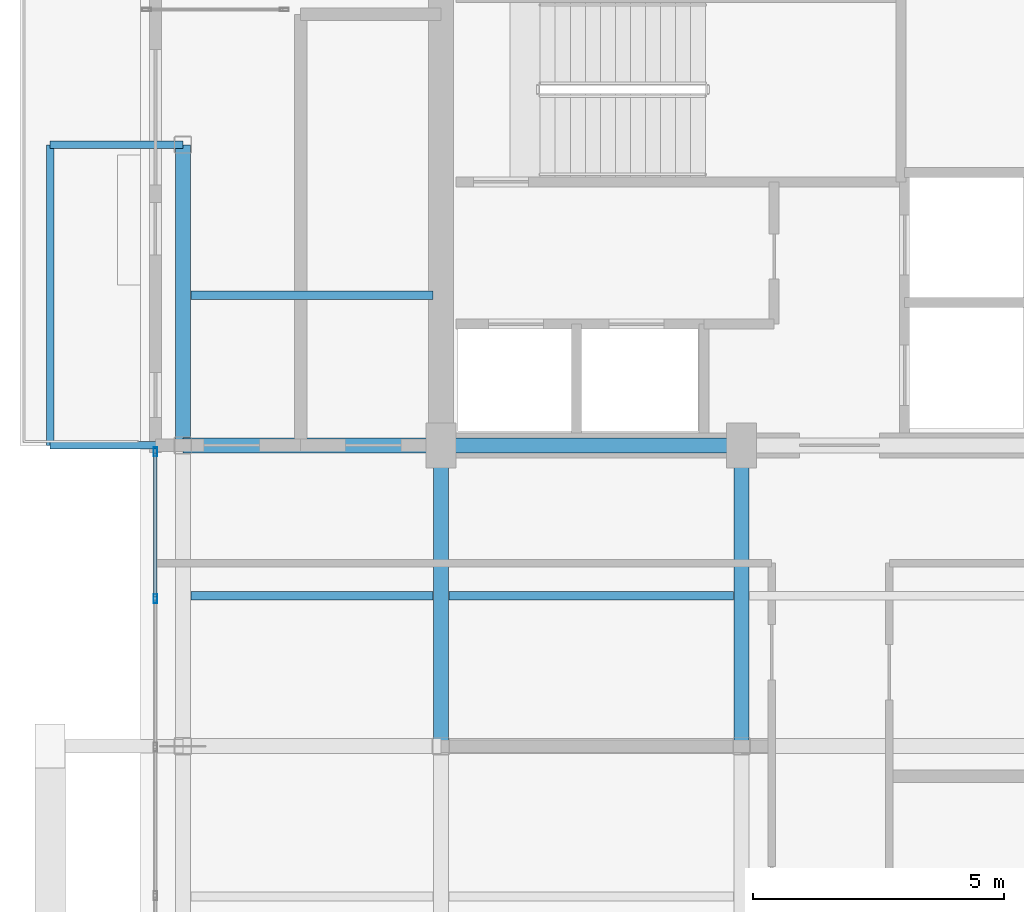
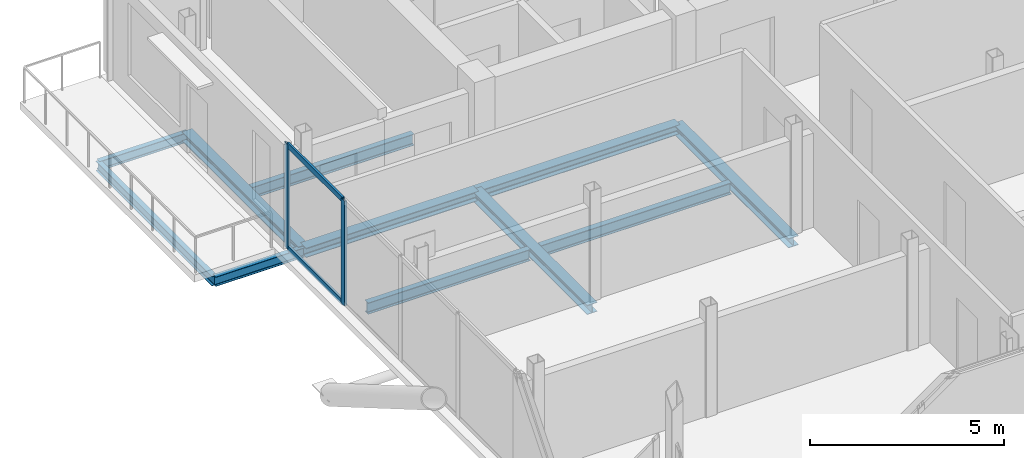
# One storey, part 6 of 18: 11 beams, 4 members, 1 element without a shape of its own.
"""IFC4 building model written with IfcOpenShell, lengths in metres."""

from ifc_helpers import new_model, si_unit, direction, frame, origin, origin_2d, place, context, subcontext, project, spatial, hollow_rectangle, i_section, extrude, material, layer, layer_set, material_profile, profile_set, type_object, element, aggregate, save


model = new_model("IFC4")

# Units and contexts
model_context = context("Model", 3, precision=1e-05, world=origin(), true_north=direction((0.0, 1.0)))
body_context = subcontext(model_context, "Body", "Model", "MODEL_VIEW")
ifc_project = project(units=[si_unit("LENGTHUNIT", "METRE"), si_unit("AREAUNIT", "SQUARE_METRE"), si_unit("VOLUMEUNIT", "CUBIC_METRE"), si_unit("PLANEANGLEUNIT", "RADIAN"), si_unit("MASSUNIT", "GRAM", prefix="KILO"), si_unit("THERMODYNAMICTEMPERATUREUNIT", "KELVIN"), si_unit("POWERUNIT", "WATT")], contexts=[model_context])

# Site, building, storey
site_placement = place(None, origin())
site = spatial("IfcSite", under=ifc_project, at=site_placement, CompositionType="ELEMENT")
building_placement = place(site_placement, origin())
building = spatial("IfcBuilding", under=site, at=building_placement, Name="Svarakhadi Broadcast Tower", CompositionType="ELEMENT")
storey_placement = place(building_placement, frame((0.0, 0.0, 288.699951171875)))
storey = spatial("IfcBuildingStorey", under=building, at=storey_placement, Name="L73", CompositionType="ELEMENT", Elevation=288.699951171875)

# Beams
ifc_material_1 = material(Name="Steel S355J2 (IS 2062 E350C)", Category="steel")
ifc_material_profile_1 = material_profile(ifc_material_1, i_section(OverallWidth=0.169921875, OverallDepth=0.360107421875, WebThickness=0.008056640625, FlangeThickness=0.0126953125, FilletRadius=0.01806640625, at=origin_2d()), Name="NPB 360x170x57")
ifc_profile_set_1 = profile_set([ifc_material_profile_1], Name="Steel S355J2 (IS 2062 E350C)")
beam_type_1 = type_object("IfcBeamType", Name="Beam_NPB360", PredefinedType="BEAM", material=ifc_profile_set_1)
for number, where, z_axis, x_axis, name in (
    (1, (1.010009765625, 15.0, -0.3798828125), (1.0, 0.0, 0.0), (0.0, 1.0, 0.0), "L73 Secondary Composite Beam SB002"),
    (2, (1.010009765625, 21.0, -0.3798828125), (1.0, 0.0, 0.0), (0.0, 1.0, 0.0), "L73 Secondary Composite Beam SB003"),
):
    element("IfcBeam", number, at=place(storey_placement, frame(where, z_axis=z_axis, x_axis=x_axis)), inside=storey, type_object=beam_type_1, Name=name, PredefinedType="BEAM", context=body_context, shape_type="SweptSolid", body=[
        extrude(i_section(OverallWidth=0.169921875, OverallDepth=0.360107421875, WebThickness=0.008056640625, FlangeThickness=0.0126953125, FilletRadius=0.01806640625, at=origin_2d()), origin(), (0.0, 0.0, 1.0), 4.830078125),
    ])
beam_1_placement = place(storey_placement, frame((6.159912109375, 15.0, -0.3798828125), z_axis=(1.0, 0.0, 0.0), x_axis=(0.0, 1.0, 0.0)))
element("IfcBeam", 3, at=beam_1_placement, inside=storey, type_object=beam_type_1, Name="L73 Secondary Composite Beam SB006", PredefinedType="BEAM", context=body_context, shape_type="SweptSolid", body=[
    extrude(i_section(OverallWidth=0.169921875, OverallDepth=0.360107421875, WebThickness=0.008056640625, FlangeThickness=0.0126953125, FilletRadius=0.01806640625, at=origin_2d()), origin(), (0.0, 0.0, 1.0), 5.68017578125),
])

# Curtain wall, members
ifc_material_2 = material(Name="Anodised Bronze Aluminium AA 6063-T6", Category="aluminium")
ifc_layer = layer(ifc_material_2, 0.179931640625)
ifc_layer_set = layer_set([ifc_layer], Name="Anodised Bronze Aluminium AA 6063-T6")
curtain_wall_type = type_object("IfcCurtainWallType", Name="CW_Sys_05", PredefinedType="NOTDEFINED", material=ifc_layer_set)
curtain_wall_placement = place(storey_placement, origin())
curtain_wall = element("IfcCurtainWall", 4, at=curtain_wall_placement, inside=storey, type_object=curtain_wall_type, Name="L73 West Curtain Wall 02", PredefinedType="NOTDEFINED")
ifc_material_profile_2 = material_profile(ifc_material_2, hollow_rectangle(XDim=0.070068359375, YDim=0.179931640625, WallThickness=0.005615234375, at=origin_2d()), Name="ALU MULLION 180x70x6")
ifc_profile_set_2 = profile_set([ifc_material_profile_2], Name="Anodised Bronze Aluminium AA 6063-T6")
member_type_1 = type_object("IfcMemberType", Name="CW_Sys_05_Mul", PredefinedType="MULLION", material=ifc_profile_set_2)
member_1_placement = place(storey_placement, frame((0.300048828125, 14.946044921875, 0.0), z_axis=(0.0, 0.0, 1.0), x_axis=(-1.0, 0.0, 0.0)))
member_1 = element("IfcMember", 5, at=member_1_placement, type_object=member_type_1, Name="CW-05 mullion 5", PredefinedType="MULLION", context=body_context, shape_type="SweptSolid", body=[
    extrude(hollow_rectangle(XDim=0.070068359375, YDim=0.179931640625, WallThickness=0.005615234375, at=origin_2d()), origin(), (0.0, 0.0, 1.0), 3.300048828125),
])
member_2_placement = place(storey_placement, frame((0.300048828125, 17.875, 0.0), z_axis=(0.0, 0.0, 1.0), x_axis=(-1.0, 0.0, 0.0)))
member_2 = element("IfcMember", 6, at=member_2_placement, type_object=member_type_1, Name="CW-05 mullion 6", PredefinedType="MULLION", context=body_context, shape_type="SweptSolid", body=[
    extrude(hollow_rectangle(XDim=0.070068359375, YDim=0.179931640625, WallThickness=0.005615234375, at=origin_2d()), origin(), (0.0, 0.0, 1.0), 3.300048828125),
])
ifc_material_profile_3 = material_profile(ifc_material_2, hollow_rectangle(XDim=0.06494140625, YDim=0.1650390625, WallThickness=0.0048828125, at=origin_2d()), Name="ALU TRANSOM 165x65x5")
ifc_profile_set_3 = profile_set([ifc_material_profile_3], Name="Anodised Bronze Aluminium AA 6063-T6")
member_type_2 = type_object("IfcMemberType", Name="CW_Sys_05_Trn", PredefinedType="USERDEFINED", material=ifc_profile_set_3)
member_3_placement = place(storey_placement, frame((0.300048828125, 14.98095703125, 0.032470703125), z_axis=(0.0, 1.0, 0.0), x_axis=(-1.0, 0.0, 0.0)))
member_3 = element("IfcMember", 7, at=member_3_placement, type_object=member_type_2, Name="CW-05 transom 5.1", ObjectType="TRANSOM", PredefinedType="USERDEFINED", context=body_context, shape_type="SweptSolid", body=[
    extrude(hollow_rectangle(XDim=0.06494140625, YDim=0.1650390625, WallThickness=0.0048828125, at=origin_2d()), origin(), (0.0, 0.0, 1.0), 2.859130859375),
])
member_4_placement = place(storey_placement, frame((0.300048828125, 14.98095703125, 3.267578125), z_axis=(0.0, 1.0, 0.0), x_axis=(-1.0, 0.0, 0.0)))
member_4 = element("IfcMember", 8, at=member_4_placement, type_object=member_type_2, Name="CW-05 transom 5.2", ObjectType="TRANSOM", PredefinedType="USERDEFINED", context=body_context, shape_type="SweptSolid", body=[
    extrude(hollow_rectangle(XDim=0.06494140625, YDim=0.1650390625, WallThickness=0.0048828125, at=origin_2d()), origin(), (0.0, 0.0, 1.0), 2.859130859375),
])
aggregate(curtain_wall, [member_1, member_2, member_3, member_4])

# Beams
ifc_material_profile_4 = material_profile(ifc_material_1, i_section(OverallWidth=0.300048828125, OverallDepth=0.300048828125, WebThickness=0.010986328125, FlangeThickness=0.01904296875, FilletRadius=0.027099609375, at=origin_2d()), Name="WPB 300x300x117")
ifc_profile_set_4 = profile_set([ifc_material_profile_4], Name="Steel S355J2 (IS 2062 E350C)")
beam_type_2 = type_object("IfcBeamType", Name="Girder_WPB300", PredefinedType="USERDEFINED", material=ifc_profile_set_4)
beam_2_placement = place(storey_placement, frame((0.85009765625, 18.0, -0.349853515625), z_axis=(1.0, 0.0, 0.0), x_axis=(0.0, 1.0, 0.0)))
element("IfcBeam", 9, at=beam_2_placement, inside=storey, type_object=beam_type_2, Name="L73 Primary E-W Girder G017", ObjectType="GIRDER", PredefinedType="USERDEFINED", context=body_context, shape_type="SweptSolid", body=[
    extrude(i_section(OverallWidth=0.300048828125, OverallDepth=0.300048828125, WebThickness=0.010986328125, FlangeThickness=0.01904296875, FilletRadius=0.027099609375, at=origin_2d()), origin(), (0.0, 0.0, 1.0), 5.14990234375),
])
for number, where, z_axis, x_axis, name in (
    (10, (6.0, 18.0, -0.349853515625), (1.0, 0.0, 0.0), (0.0, 1.0, 0.0), "L73 Primary E-W Girder G018"),
    (11, (0.85009765625, 18.0, -0.349853515625), (0.0, 1.0, 0.0), (-1.0, 0.0, 0.0), "L73 Primary N-S Girder G028"),
    (12, (6.0, 12.0, -0.349853515625), (0.0, 1.0, 0.0), (-1.0, 0.0, 0.0), "L73 Primary N-S Girder G031"),
    (13, (12.0, 12.0, -0.349853515625), (0.0, 1.0, 0.0), (-1.0, 0.0, 0.0), "L73 Primary N-S Girder G035"),
):
    element("IfcBeam", number, at=place(storey_placement, frame(where, z_axis=z_axis, x_axis=x_axis)), inside=storey, type_object=beam_type_2, Name=name, ObjectType="GIRDER", PredefinedType="USERDEFINED", context=body_context, shape_type="SweptSolid", body=[
        extrude(i_section(OverallWidth=0.300048828125, OverallDepth=0.300048828125, WebThickness=0.010986328125, FlangeThickness=0.01904296875, FilletRadius=0.027099609375, at=origin_2d()), origin(), (0.0, 0.0, 1.0), 6.0),
    ])
ifc_material_profile_5 = material_profile(ifc_material_1, i_section(OverallWidth=0.14990234375, OverallDepth=0.300048828125, WebThickness=0.007080078125, FlangeThickness=0.0107421875, FilletRadius=0.014892578125, at=origin_2d()), Name="NPB 300x150x37")
ifc_profile_set_5 = profile_set([ifc_material_profile_5], Name="Steel S355J2 (IS 2062 E350C)")
beam_type_3 = type_object("IfcBeamType", Name="Spandrel_NPB300", PredefinedType="SPANDREL", material=ifc_profile_set_5)
for number, where, z_axis, x_axis, name in (
    (14, (0.85009765625, 18.0, -0.375), (-1.0, 0.0, 0.0), (0.0, -1.0, 0.0), "L73 Balcony Cantilever Bracket 2A"),
    (15, (0.85009765625, 24.0, -0.375), (-1.0, 0.0, 0.0), (0.0, -1.0, 0.0), "L73 Balcony Cantilever Bracket 2B"),
):
    element("IfcBeam", number, at=place(storey_placement, frame(where, z_axis=z_axis, x_axis=x_axis)), inside=storey, type_object=beam_type_3, Name=name, PredefinedType="SPANDREL", context=body_context, shape_type="SweptSolid", body=[
        extrude(i_section(OverallWidth=0.14990234375, OverallDepth=0.300048828125, WebThickness=0.007080078125, FlangeThickness=0.0107421875, FilletRadius=0.014892578125, at=origin_2d()), origin(), (0.0, 0.0, 1.0), 2.650146484375),
    ])
beam_3_placement = place(storey_placement, frame((-1.800048828125, 18.0, -0.375), z_axis=(0.0, 1.0, 0.0), x_axis=(-1.0, 0.0, 0.0)))
element("IfcBeam", 16, at=beam_3_placement, inside=storey, type_object=beam_type_3, Name="L73 Balcony Outer Spandrel 2F", PredefinedType="SPANDREL", context=body_context, shape_type="SweptSolid", body=[
    extrude(i_section(OverallWidth=0.14990234375, OverallDepth=0.300048828125, WebThickness=0.007080078125, FlangeThickness=0.0107421875, FilletRadius=0.014892578125, at=origin_2d()), origin(), (0.0, 0.0, 1.0), 6.0),
])

save(model, "model.ifc")
